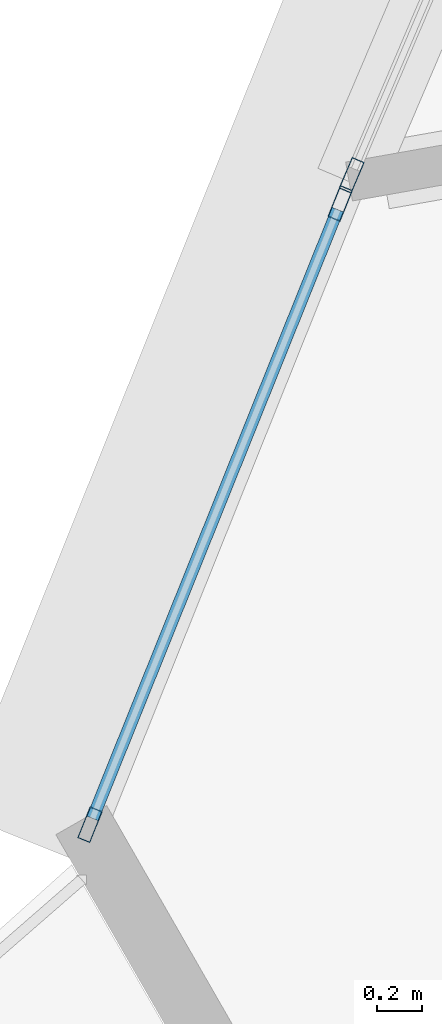
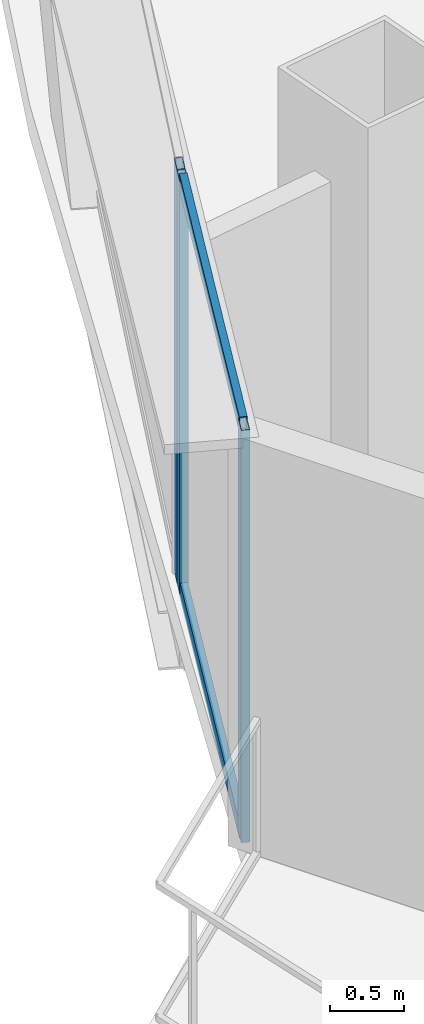
# One storey, part 4 of 39: 5 members, 2 elements without a shape of their own.
"""IFC4 building model written with IfcOpenShell, lengths in metres."""

import ifcopenshell
import ifcopenshell.guid

model = None  # the IFC model being written
_history = None  # IfcOwnerHistory: only IFC2X3 demands one
_inside = {}  # id of a spatial element -> (the spatial element, [elements in it])
_under = {}  # id of a project, library or spatial element -> (it, [spatial elements below it])
_declared = {}  # id of a project -> (the project, [libraries it declares])
_typed = {}  # id of a type object -> (the type object, [elements of that type])
_made_of = {}  # id of a material, layer set ... -> (it, [elements and type objects made of it])


def new_model(schema):
    """Start an empty IFC model of exactly this schema.

    Asked for "IFC4X3", IfcOpenShell would pick the latest addendum, in which some entities
    have other attributes; the version numbers below select the first issue.
    IFC2X3 requires an IfcOwnerHistory on every rooted entity: one is made here for all.
    """
    global model, _history
    if schema == "IFC4X3":
        model = ifcopenshell.file(schema_version=(4, 3, 0, 0))
    else:
        model = ifcopenshell.file(schema=schema)
    _inside.clear()
    _under.clear()
    _declared.clear()
    _typed.clear()
    _made_of.clear()
    _history = None
    if model.schema == "IFC2X3":
        org = make("IfcOrganization", Name="unknown")
        user = make(
            "IfcPersonAndOrganization",
            ThePerson=make("IfcPerson", FamilyName="unknown"),
            TheOrganization=org,
        )
        app = make(
            "IfcApplication",
            ApplicationDeveloper=org,
            Version="unknown",
            ApplicationFullName="unknown",
            ApplicationIdentifier="unknown",
        )
        _history = make(
            "IfcOwnerHistory",
            OwningUser=user,
            OwningApplication=app,
            ChangeAction="ADDED",
            CreationDate=0,
        )
    return model


def make(cls, **values):
    """One entity of the class cls with the attributes given. An attribute that is None is left unset."""
    return model.create_entity(
        cls, **{name: value for name, value in values.items() if value is not None}
    )


def rooted(cls, **values):
    """An entity with a GlobalId (a new one), such as an element, a storey or a relation."""
    return make(cls, GlobalId=ifcopenshell.guid.new(), OwnerHistory=_history, **values)


def si_unit(unit_type, name, prefix=None):
    """IfcSIUnit, for example si_unit("LENGTHUNIT", "METRE", prefix="MILLI")."""
    return make("IfcSIUnit", UnitType=unit_type, Prefix=prefix, Name=name)


def assignment(units):
    """IfcUnitAssignment: the units of a project."""
    return None if units is None else make("IfcUnitAssignment", Units=units)


def point(xyz):
    """IfcCartesianPoint."""
    return None if xyz is None else make("IfcCartesianPoint", Coordinates=xyz)


def direction(xyz):
    """IfcDirection."""
    return None if xyz is None else make("IfcDirection", DirectionRatios=xyz)


def frame(location, z_axis=None, x_axis=None):
    """IfcAxis2Placement3D, a coordinate frame: its origin and axes. An axis left out is left unset."""
    return make(
        "IfcAxis2Placement3D",
        Location=point(location),
        Axis=direction(z_axis),
        RefDirection=direction(x_axis),
    )


def frame_2d(location, x_axis=None):
    """IfcAxis2Placement2D, a coordinate frame in the plane: its origin and x axis."""
    return make(
        "IfcAxis2Placement2D", Location=point(location), RefDirection=direction(x_axis)
    )


def origin():
    """The frame at (0, 0, 0) with its axes left unset."""
    return frame((0.0, 0.0, 0.0))


def origin_2d():
    """The frame at (0, 0) in the plane with its x axis left unset."""
    return frame_2d((0.0, 0.0))


def place(relative_to, where):
    """IfcLocalPlacement: puts the frame where relative to a parent placement (None: the world)."""
    return make(
        "IfcLocalPlacement", PlacementRelTo=relative_to, RelativePlacement=where
    )


def context(
    kind, dimensions, precision=None, world=None, true_north=None, identifier=None
):
    """IfcGeometricRepresentationContext, for example the 3D "Model" context."""
    return make(
        "IfcGeometricRepresentationContext",
        ContextIdentifier=identifier,
        ContextType=kind,
        CoordinateSpaceDimension=dimensions,
        Precision=precision,
        WorldCoordinateSystem=world,
        TrueNorth=true_north,
    )


def subcontext(parent, identifier, kind, view, scale=None):
    """IfcGeometricRepresentationSubContext, for example "Body" below "Model"."""
    return make(
        "IfcGeometricRepresentationSubContext",
        ContextIdentifier=identifier,
        ContextType=kind,
        ParentContext=parent,
        TargetScale=scale,
        TargetView=view,
    )


def project(units=None, contexts=None):
    """IfcProject with its units and contexts."""
    return rooted(
        "IfcProject",
        Name="project",
        RepresentationContexts=contexts,
        UnitsInContext=assignment(units),
    )


def spatial(cls, under=None, at=None, **own):
    """A site, building, storey or space (cls), placed at a placement, below another one or the project."""
    s = rooted(cls, ObjectPlacement=at, **own)
    if under is not None:
        _under.setdefault(under.id(), (under, []))[1].append(s)
    return s


def profile(cls, at=None, kind="AREA", **sizes):
    """A parametric profile (cls). Its sizes go by their IFC names, for example OverallWidth=200.0."""
    return make(cls, ProfileType=kind, Position=at, **sizes)


def hollow_rectangle(**sizes):
    """IfcRectangleHollowProfileDef."""
    return profile("IfcRectangleHollowProfileDef", **sizes)


def extrude(swept, where, along, depth):
    """IfcExtrudedAreaSolid: the profile swept, set in the frame where, extruded along a direction by depth."""
    return make(
        "IfcExtrudedAreaSolid",
        SweptArea=swept,
        Position=where,
        ExtrudedDirection=direction(along),
        Depth=depth,
    )


def shape(context_of_items, identifier, shape_type, items):
    """IfcShapeRepresentation: the items that make up one representation, for example the "Body"."""
    return make(
        "IfcShapeRepresentation",
        ContextOfItems=context_of_items,
        RepresentationIdentifier=identifier,
        RepresentationType=shape_type,
        Items=items,
    )


def source(mapping_origin, context_of_items, identifier, shape_type, items):
    """IfcRepresentationMap: a shape defined once, which mapped items show again and again."""
    return make(
        "IfcRepresentationMap",
        MappingOrigin=mapping_origin,
        MappedRepresentation=shape(context_of_items, identifier, shape_type, items),
    )


def transform(
    local_origin,
    x_axis=None,
    y_axis=None,
    z_axis=None,
    scale=None,
    scale2=None,
    scale3=None,
    uniform=True,
):
    """IfcCartesianTransformationOperator3D, or its non-uniform kind. x_axis, y_axis, z_axis: its Axis1, 2, 3."""
    if uniform:
        return make(
            "IfcCartesianTransformationOperator3D",
            Axis1=direction(x_axis),
            Axis2=direction(y_axis),
            LocalOrigin=point(local_origin),
            Scale=scale,
            Axis3=direction(z_axis),
        )
    return make(
        "IfcCartesianTransformationOperator3DnonUniform",
        Axis1=direction(x_axis),
        Axis2=direction(y_axis),
        LocalOrigin=point(local_origin),
        Scale=scale,
        Axis3=direction(z_axis),
        Scale2=scale2,
        Scale3=scale3,
    )


def mapped(mapping_source, mapping_target):
    """IfcMappedItem: shows the shape of a source again, moved by a transform."""
    return make(
        "IfcMappedItem", MappingSource=mapping_source, MappingTarget=mapping_target
    )


def material(Name=None, Category=None):
    """IfcMaterial."""
    return make("IfcMaterial", Name=Name, Category=Category)


def layer(
    of_material, thickness, ventilated=None, Name=None, Category=None, Priority=None
):
    """IfcMaterialLayer: one layer of a wall or slab, of a material (None: an air gap)."""
    return make(
        "IfcMaterialLayer",
        Material=of_material,
        LayerThickness=thickness,
        IsVentilated=ventilated,
        Name=Name,
        Category=Category,
        Priority=Priority,
    )


def layer_set(layers, Name=None):
    """IfcMaterialLayerSet."""
    return make("IfcMaterialLayerSet", MaterialLayers=layers, LayerSetName=Name)


def material_profile(
    of_material, cross_section, Name=None, Category=None, Priority=None
):
    """IfcMaterialProfile: a cross section and its material."""
    return make(
        "IfcMaterialProfile",
        Name=Name,
        Material=of_material,
        Profile=cross_section,
        Priority=Priority,
        Category=Category,
    )


def profile_set(profiles, Name=None, composite=None):
    """IfcMaterialProfileSet."""
    return make(
        "IfcMaterialProfileSet",
        Name=Name,
        MaterialProfiles=profiles,
        CompositeProfile=composite,
    )


def made_of(thing, what):
    """Note that an element or type object is made of a material, layer set ...; save() writes the relation."""
    if what is not None:
        _made_of.setdefault(what.id(), (what, []))[1].append(thing)
    return thing


def type_object(cls, material=None, **own):
    """A type object (cls), such as IfcWallType, which elements share."""
    return made_of(rooted(cls, **own), material)


def element(
    cls,
    number,
    at=None,
    inside=None,
    cuts=None,
    type_object=None,
    material=None,
    context=None,
    identifier="Body",
    shape_type=None,
    held_by="IfcProductDefinitionShape",
    body=None,
    shapes=None,
    **own,
):
    """One element of the class cls, such as IfcWall. Its Tag is "e" and its number.

    at: its placement. inside: the storey or other place that contains it. cuts: it is an
    opening in that element (IfcRelVoidsElement). A single representation is given by context,
    identifier, shape_type and body (its items); several are given by shapes. held_by: the class
    of the entity that holds the representations. save() writes the other relations.
    """
    e = rooted(cls, Tag="e%d" % number, ObjectPlacement=at, **own)
    if body is not None:
        shapes = [shape(context, identifier, shape_type, body)]
    if shapes is not None:
        e.Representation = make(held_by, Representations=shapes)
    if inside is not None:
        _inside.setdefault(inside.id(), (inside, []))[1].append(e)
    if cuts is not None:
        rooted(
            "IfcRelVoidsElement", RelatingBuildingElement=cuts, RelatedOpeningElement=e
        )
    if type_object is not None:
        _typed.setdefault(type_object.id(), (type_object, []))[1].append(e)
    return made_of(e, material)


def aggregate(whole, parts):
    """IfcRelAggregates: a whole, such as a stair, and the parts it consists of."""
    return rooted("IfcRelAggregates", RelatingObject=whole, RelatedObjects=parts)


def save(model, path):
    """Write the relations noted so far, then the file.

    IfcRelAggregates (storeys below a building ...), IfcRelContainedInSpatialStructure (elements
    in a storey), IfcRelDefinesByType, IfcRelAssociatesMaterial and IfcRelDeclares: one each for
    every whole, place, type object, material and project.
    """
    for whole, parts in _under.values():
        aggregate(whole, parts)
    for where, things in _inside.values():
        rooted(
            "IfcRelContainedInSpatialStructure",
            RelatedElements=things,
            RelatingStructure=where,
        )
    for kind, things in _typed.values():
        rooted("IfcRelDefinesByType", RelatedObjects=things, RelatingType=kind)
    for what, things in _made_of.values():
        rooted("IfcRelAssociatesMaterial", RelatedObjects=things, RelatingMaterial=what)
    for by, libraries in _declared.values():
        rooted("IfcRelDeclares", RelatingContext=by, RelatedDefinitions=libraries)
    model.write(path)


model = new_model("IFC4")

# Units and contexts
model_context = context("Model", 3, precision=1e-05, world=origin(), true_north=direction((0.0, 1.0)))
body_context = subcontext(model_context, "Body", "Model", "MODEL_VIEW")
ifc_project = project(units=[si_unit("LENGTHUNIT", "METRE"), si_unit("AREAUNIT", "SQUARE_METRE"), si_unit("VOLUMEUNIT", "CUBIC_METRE"), si_unit("PLANEANGLEUNIT", "RADIAN"), si_unit("MASSUNIT", "GRAM", prefix="KILO"), si_unit("THERMODYNAMICTEMPERATUREUNIT", "KELVIN"), si_unit("POWERUNIT", "WATT")], contexts=[model_context])

# Site, building, storey
site_placement = place(None, origin())
site = spatial("IfcSite", under=ifc_project, at=site_placement, CompositionType="ELEMENT")
building_placement = place(site_placement, origin())
building = spatial("IfcBuilding", under=site, at=building_placement, Name="Yunzhuo Pagoda Commons", CompositionType="ELEMENT")
storey_placement = place(building_placement, frame((0.0, 0.0, 148.22998046875)))
storey = spatial("IfcBuildingStorey", under=building, at=storey_placement, Name="L37", CompositionType="ELEMENT", Elevation=148.22998046875)

# Curtain wall, members
ifc_material = material(Name="Anodized aluminium 6063-T6", Category="aluminium")
ifc_layer = layer(ifc_material, 0.14990234375)
ifc_layer_set = layer_set([ifc_layer], Name="Anodized aluminium 6063-T6")
curtain_wall_type = type_object("IfcCurtainWallType", Name="CW-MID Mid-Zone Ribbon Curtain Wall", PredefinedType="NOTDEFINED", material=ifc_layer_set)
curtain_wall_1_placement = place(storey_placement, origin())
curtain_wall_1 = element("IfcCurtainWall", 1, at=curtain_wall_1_placement, inside=storey, type_object=curtain_wall_type, Name="L37 curtain wall CW-L37-F3B5", PredefinedType="NOTDEFINED")
ifc_material_profile_1 = material_profile(ifc_material, hollow_rectangle(XDim=0.054931640625, YDim=0.1298828125, WallThickness=0.00341796875, at=origin_2d()), Name="Anodized aluminium 6063-T6")
ifc_profile_set_1 = profile_set([ifc_material_profile_1], Name="Anodized aluminium 6063-T6")
member_type_1 = type_object("IfcMemberType", Name="CW-MID-T Transom RHS 130x55x3.5", PredefinedType="USERDEFINED", material=ifc_profile_set_1)
shared_shape_1 = source(origin(), body_context, "Body", "SweptSolid", [
    extrude(hollow_rectangle(XDim=0.054931640625, YDim=0.1298828125, WallThickness=0.00341796875, at=origin_2d()), origin(), (0.0, 0.0, 1.0), 2.914794921875),
])
member_1_placement = place(storey_placement, frame((9.24072265625, 26.749267578125, 0.027587890625), z_axis=(-0.373656886958, -0.927566995332, 0.0), x_axis=(0.927566995332, -0.373656886958, 0.0)))
member_1 = element("IfcMember", 2, at=member_1_placement, type_object=member_type_1, Name="CW transom 1.1", ObjectType="TRANSOM", PredefinedType="USERDEFINED", context=body_context, shape_type="MappedRepresentation", body=[
    mapped(shared_shape_1, transform((0.0, 0.0, 0.0), scale=1.0)),
])
member_2_placement = place(storey_placement, frame((9.24072265625, 26.749267578125, 3.392578125), z_axis=(-0.373656886958, -0.927566995332, 0.0), x_axis=(0.927566995332, -0.373656886958, 0.0)))
member_2 = element("IfcMember", 3, at=member_2_placement, type_object=member_type_1, Name="CW transom 1.2", ObjectType="TRANSOM", PredefinedType="USERDEFINED", context=body_context, shape_type="MappedRepresentation", body=[
    mapped(shared_shape_1, transform((0.0, 0.0, 0.0), scale=1.0)),
])

# Curtain wall, member
curtain_wall_2_placement = place(storey_placement, origin())
curtain_wall_2 = element("IfcCurtainWall", 4, at=curtain_wall_2_placement, inside=storey, type_object=curtain_wall_type, Name="L37 curtain wall CW-L37-F3B4", PredefinedType="NOTDEFINED")
ifc_material_profile_2 = material_profile(ifc_material, hollow_rectangle(XDim=0.06005859375, YDim=0.14990234375, WallThickness=0.00390625, at=origin_2d()), Name="Anodized aluminium 6063-T6")
ifc_profile_set_2 = profile_set([ifc_material_profile_2], Name="Anodized aluminium 6063-T6")
member_type_2 = type_object("IfcMemberType", Name="CW-MID-M Mullion RHS 150x60x4", PredefinedType="MULLION", material=ifc_profile_set_2)
shared_shape_2 = source(origin(), body_context, "Body", "SweptSolid", [
    extrude(hollow_rectangle(XDim=0.06005859375, YDim=0.14990234375, WallThickness=0.00390625, at=origin_2d()), origin(), (0.0, 0.0, 1.0), 3.419677734375),
])
member_3_placement = place(storey_placement, frame((9.302734375, 26.902099609375, 0.000244140625), z_axis=(0.0, 0.0, 1.0), x_axis=(0.920072228059, -0.391748765351, 0.0)))
member_3 = element("IfcMember", 5, at=member_3_placement, type_object=member_type_2, Name="CW mullion 2", PredefinedType="MULLION", context=body_context, shape_type="MappedRepresentation", body=[
    mapped(shared_shape_2, transform((0.0, 0.0, 0.0), scale=1.0)),
])
aggregate(curtain_wall_2, [member_3])

# Member
member_4_placement = place(storey_placement, frame((9.251708984375, 26.777099609375, 0.000244140625), z_axis=(0.0, 0.0, 1.0), x_axis=(0.927583162846, -0.373616750166, 0.0)))
member_4 = element("IfcMember", 6, at=member_4_placement, type_object=member_type_2, Name="CW mullion 1", PredefinedType="MULLION", context=body_context, shape_type="MappedRepresentation", body=[
    mapped(shared_shape_2, transform((0.0, 0.0, 0.0), scale=1.0)),
])

member_5_placement = place(storey_placement, frame((8.140380859375, 24.017822265625, 0.000244140625), z_axis=(0.0, 0.0, 1.0), x_axis=(0.927583162846, -0.373616750166, 0.0)))
member_5 = element("IfcMember", 7, at=member_5_placement, type_object=member_type_2, Name="CW mullion 2", PredefinedType="MULLION", context=body_context, shape_type="MappedRepresentation", body=[
    mapped(shared_shape_2, transform((0.0, 0.0, 0.0), scale=1.0)),
])

aggregate(curtain_wall_1, [member_4, member_5, member_1, member_2])

save(model, "model.ifc")
